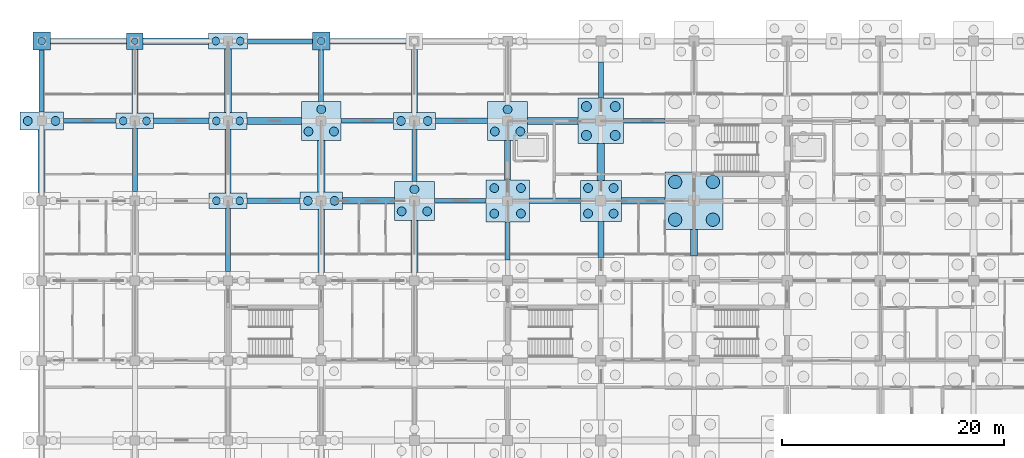
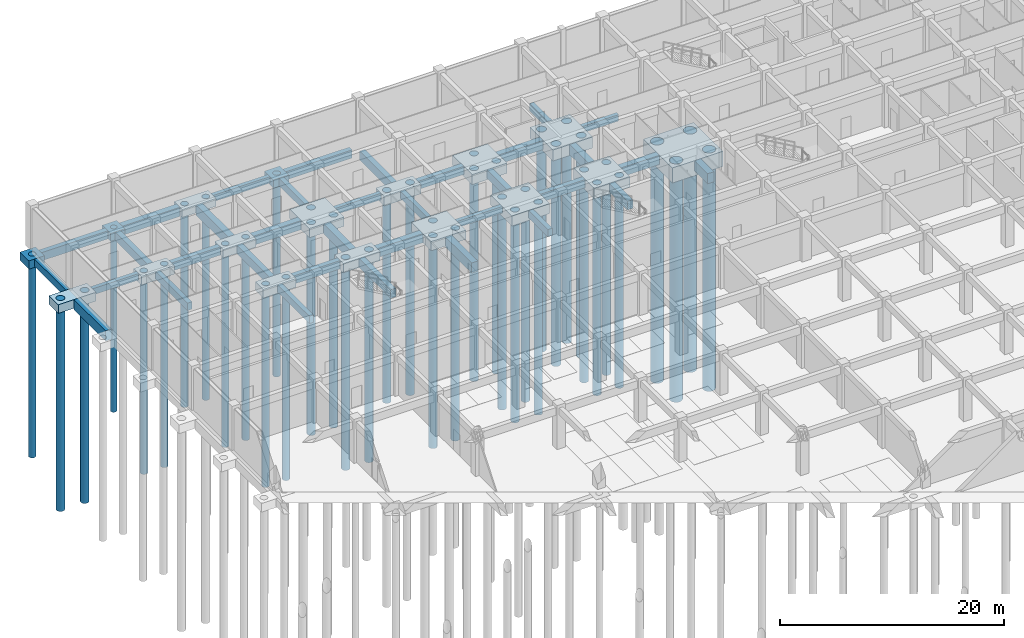
# One storey, part 8 of 85: 52 footings, 42 piles.
"""IFC4 building model written with IfcOpenShell, lengths in metres."""

from ifc_helpers import new_model, si_unit, direction, frame, origin, origin_2d, place, context, subcontext, project, spatial, rectangle, circle, extrude, material, material_profile, profile_set, type_object, element, save


model = new_model("IFC4")

# Units and contexts
model_context = context("Model", 3, precision=1e-05, world=origin(), true_north=direction((0.0, 1.0)))
body_context = subcontext(model_context, "Body", "Model", "MODEL_VIEW")
ifc_project = project(units=[si_unit("LENGTHUNIT", "METRE"), si_unit("AREAUNIT", "SQUARE_METRE"), si_unit("VOLUMEUNIT", "CUBIC_METRE"), si_unit("PLANEANGLEUNIT", "RADIAN"), si_unit("MASSUNIT", "GRAM", prefix="KILO")], contexts=[model_context])

# Site, building, storey
site_placement = place(None, origin())
site = spatial("IfcSite", under=ifc_project, at=site_placement, CompositionType="ELEMENT")
building_placement = place(site_placement, origin())
building = spatial("IfcBuilding", under=site, at=building_placement, Name="Chengyuan Square Courthouse", CompositionType="ELEMENT")
storey_placement = place(building_placement, frame((0.0, 0.0, -10.199951171875)))
storey = spatial("IfcBuildingStorey", under=building, at=storey_placement, Name="B02", CompositionType="ELEMENT", Elevation=-10.199951171875)

# Footings
ifc_material = material(Name="Concrete C40", Category="concrete")
ifc_material_profile_1 = material_profile(ifc_material, rectangle(XDim=0.39990234375, YDim=0.699951171875, at=origin_2d()), Name="GB-400x700")
ifc_profile_set_1 = profile_set([ifc_material_profile_1], Name="Concrete C40")
footing_type_1 = type_object("IfcFootingType", Name="GB-01", PredefinedType="FOOTING_BEAM", material=ifc_profile_set_1)
footing_1_placement = place(storey_placement, frame((35.39990234375, 100.800048828125, -1.150146484375), z_axis=(1.0, 0.0, 0.0), x_axis=(0.0, 1.0, 0.0)))
element("IfcFooting", 1, at=footing_1_placement, inside=storey, type_object=footing_type_1, Name="Ground Tie Beam GB-B02-0285", PredefinedType="FOOTING_BEAM", context=body_context, shape_type="SweptSolid", body=[
    extrude(rectangle(XDim=0.39990234375, YDim=0.699951171875, at=origin_2d()), origin(), (0.0, 0.0, 1.0), 4.650146484375),
])
footing_2_placement = place(storey_placement, frame((1.949951171875, 108.0, -1.150146484375), z_axis=(1.0, 0.0, 0.0), x_axis=(0.0, 1.0, 0.0)))
element("IfcFooting", 2, at=footing_2_placement, inside=storey, type_object=footing_type_1, Name="Ground Tie Beam GB-B02-0301", PredefinedType="FOOTING_BEAM", context=body_context, shape_type="SweptSolid", body=[
    extrude(rectangle(XDim=0.39990234375, YDim=0.699951171875, at=origin_2d()), origin(), (0.0, 0.0, 1.0), 4.75),
])
footing_3_placement = place(storey_placement, frame((27.0, 108.0, -1.150146484375), z_axis=(1.0, 0.0, 0.0), x_axis=(0.0, 1.0, 0.0)))
element("IfcFooting", 3, at=footing_3_placement, inside=storey, type_object=footing_type_1, Name="Ground Tie Beam GB-B02-0304", PredefinedType="FOOTING_BEAM", context=body_context, shape_type="SweptSolid", body=[
    extrude(rectangle(XDim=0.39990234375, YDim=0.699951171875, at=origin_2d()), origin(), (0.0, 0.0, 1.0), 4.699951171875),
])
footing_4_placement = place(storey_placement, frame((52.449951171875, 108.0, -1.150146484375), z_axis=(1.0, 0.0, 0.0), x_axis=(0.0, 1.0, 0.0)))
element("IfcFooting", 4, at=footing_4_placement, inside=storey, type_object=footing_type_1, Name="Ground Tie Beam GB-B02-0307", PredefinedType="FOOTING_BEAM", context=body_context, shape_type="SweptSolid", body=[
    extrude(rectangle(XDim=0.39990234375, YDim=0.699951171875, at=origin_2d()), origin(), (0.0, 0.0, 1.0), 3.75),
])
footing_5_placement = place(storey_placement, frame((18.550048828125, 115.199951171875, -1.150146484375), z_axis=(1.0, 0.0, 0.0), x_axis=(0.0, 1.0, 0.0)))
element("IfcFooting", 5, at=footing_5_placement, inside=storey, type_object=footing_type_1, Name="Ground Tie Beam GB-B02-0323", PredefinedType="FOOTING_BEAM", context=body_context, shape_type="SweptSolid", body=[
    extrude(rectangle(XDim=0.39990234375, YDim=0.699951171875, at=origin_2d()), origin(), (0.0, 0.0, 1.0), 5.849853515625),
])
ifc_material_profile_2 = material_profile(ifc_material, rectangle(XDim=0.449951171875, YDim=0.800048828125, at=origin_2d()), Name="GB-450x800")
ifc_profile_set_2 = profile_set([ifc_material_profile_2], Name="Concrete C40")
footing_type_2 = type_object("IfcFootingType", Name="GB-02", PredefinedType="FOOTING_BEAM", material=ifc_profile_set_2)
footing_6_placement = place(storey_placement, frame((0.0, 108.824951171875, -1.199951171875), z_axis=(0.0, 1.0, 0.0), x_axis=(-1.0, 0.0, 0.0)))
element("IfcFooting", 6, at=footing_6_placement, inside=storey, type_object=footing_type_2, Name="Ground Tie Beam GB-B02-0362", PredefinedType="FOOTING_BEAM", context=body_context, shape_type="SweptSolid", body=[
    extrude(rectangle(XDim=0.449951171875, YDim=0.800048828125, at=origin_2d()), origin(), (0.0, 0.0, 1.0), 5.574951171875),
])
for number, where, z_axis, x_axis, name in (
    (7, (8.39990234375, 101.625, -1.199951171875), (0.0, 1.0, 0.0), (-1.0, 0.0, 0.0), "Ground Tie Beam GB-B02-0377"),
    (8, (16.800048828125, 94.425048828125, -1.199951171875), (0.0, 1.0, 0.0), (-1.0, 0.0, 0.0), "Ground Tie Beam GB-B02-0392"),
):
    element("IfcFooting", number, at=place(storey_placement, frame(where, z_axis=z_axis, x_axis=x_axis)), inside=storey, type_object=footing_type_2, Name=name, PredefinedType="FOOTING_BEAM", context=body_context, shape_type="SweptSolid", body=[
        extrude(rectangle(XDim=0.449951171875, YDim=0.800048828125, at=origin_2d()), origin(), (0.0, 0.0, 1.0), 5.675048828125),
    ])
footing_7_placement = place(storey_placement, frame((25.199951171875, 109.75, -1.199951171875), z_axis=(0.0, 1.0, 0.0), x_axis=(-1.0, 0.0, 0.0)))
element("IfcFooting", 9, at=footing_7_placement, inside=storey, type_object=footing_type_2, Name="Ground Tie Beam GB-B02-0410", PredefinedType="FOOTING_BEAM", context=body_context, shape_type="SweptSolid", body=[
    extrude(rectangle(XDim=0.449951171875, YDim=0.800048828125, at=origin_2d()), origin(), (0.0, 0.0, 1.0), 4.64990234375),
])
footing_8_placement = place(storey_placement, frame((33.60009765625, 102.550048828125, -1.199951171875), z_axis=(0.0, 1.0, 0.0), x_axis=(-1.0, 0.0, 0.0)))
element("IfcFooting", 10, at=footing_8_placement, inside=storey, type_object=footing_type_2, Name="Ground Tie Beam GB-B02-0425", PredefinedType="FOOTING_BEAM", context=body_context, shape_type="SweptSolid", body=[
    extrude(rectangle(XDim=0.449951171875, YDim=0.800048828125, at=origin_2d()), origin(), (0.0, 0.0, 1.0), 4.699951171875),
])
footing_9_placement = place(storey_placement, frame((42.0, 95.449951171875, -1.199951171875), z_axis=(0.0, 1.0, 0.0), x_axis=(-1.0, 0.0, 0.0)))
element("IfcFooting", 11, at=footing_9_placement, inside=storey, type_object=footing_type_2, Name="Ground Tie Beam GB-B02-0440", PredefinedType="FOOTING_BEAM", context=body_context, shape_type="SweptSolid", body=[
    extrude(rectangle(XDim=0.449951171875, YDim=0.800048828125, at=origin_2d()), origin(), (0.0, 0.0, 1.0), 3.449951171875),
])
footing_10_placement = place(storey_placement, frame((50.39990234375, 110.050048828125, -1.199951171875), z_axis=(0.0, 1.0, 0.0), x_axis=(-1.0, 0.0, 0.0)))
element("IfcFooting", 12, at=footing_10_placement, inside=storey, type_object=footing_type_2, Name="Ground Tie Beam GB-B02-0458", PredefinedType="FOOTING_BEAM", context=body_context, shape_type="SweptSolid", body=[
    extrude(rectangle(XDim=0.449951171875, YDim=0.800048828125, at=origin_2d()), origin(), (0.0, 0.0, 1.0), 3.25),
])
ifc_material_profile_3 = material_profile(ifc_material, rectangle(XDim=0.5, YDim=0.89990234375, at=origin_2d()), Name="GB-500x900")
ifc_profile_set_3 = profile_set([ifc_material_profile_3], Name="Concrete C40")
footing_type_3 = type_object("IfcFootingType", Name="GB-03", PredefinedType="FOOTING_BEAM", material=ifc_profile_set_3)
footing_11_placement = place(storey_placement, frame((18.5, 100.800048828125, -1.25), z_axis=(1.0, 0.0, 0.0), x_axis=(0.0, 1.0, 0.0)))
element("IfcFooting", 13, at=footing_11_placement, inside=storey, type_object=footing_type_3, Name="Ground Tie Beam GB-B02-0283", PredefinedType="FOOTING_BEAM", context=body_context, shape_type="SweptSolid", body=[
    extrude(rectangle(XDim=0.5, YDim=0.89990234375, at=origin_2d()), origin(), (0.0, 0.0, 1.0), 4.800048828125),
])
footing_12_placement = place(storey_placement, frame((43.949951171875, 100.800048828125, -1.25), z_axis=(1.0, 0.0, 0.0), x_axis=(0.0, 1.0, 0.0)))
element("IfcFooting", 14, at=footing_12_placement, inside=storey, type_object=footing_type_3, Name="Ground Tie Beam GB-B02-0286", PredefinedType="FOOTING_BEAM", context=body_context, shape_type="SweptSolid", body=[
    extrude(rectangle(XDim=0.5, YDim=0.89990234375, at=origin_2d()), origin(), (0.0, 0.0, 1.0), 4.60009765625),
])
footing_13_placement = place(storey_placement, frame((10.10009765625, 108.0, -1.25), z_axis=(1.0, 0.0, 0.0), x_axis=(0.0, 1.0, 0.0)))
element("IfcFooting", 15, at=footing_13_placement, inside=storey, type_object=footing_type_3, Name="Ground Tie Beam GB-B02-0302", PredefinedType="FOOTING_BEAM", context=body_context, shape_type="SweptSolid", body=[
    extrude(rectangle(XDim=0.5, YDim=0.89990234375, at=origin_2d()), origin(), (0.0, 0.0, 1.0), 5.0),
])
footing_14_placement = place(storey_placement, frame((35.5, 108.0, -1.25), z_axis=(1.0, 0.0, 0.0), x_axis=(0.0, 1.0, 0.0)))
element("IfcFooting", 16, at=footing_14_placement, inside=storey, type_object=footing_type_3, Name="Ground Tie Beam GB-B02-0305", PredefinedType="FOOTING_BEAM", context=body_context, shape_type="SweptSolid", body=[
    extrude(rectangle(XDim=0.5, YDim=0.89990234375, at=origin_2d()), origin(), (0.0, 0.0, 1.0), 4.699951171875),
])
footing_15_placement = place(storey_placement, frame((0.800048828125, 115.199951171875, -1.25), z_axis=(1.0, 0.0, 0.0), x_axis=(0.0, 1.0, 0.0)))
element("IfcFooting", 17, at=footing_15_placement, inside=storey, type_object=footing_type_3, Name="Ground Tie Beam GB-B02-0321", PredefinedType="FOOTING_BEAM", context=body_context, shape_type="SweptSolid", body=[
    extrude(rectangle(XDim=0.5, YDim=0.89990234375, at=origin_2d()), origin(), (0.0, 0.0, 1.0), 6.849853515625),
])
footing_16_placement = place(storey_placement, frame((26.0, 115.199951171875, -1.25), z_axis=(1.0, 0.0, 0.0), x_axis=(0.0, 1.0, 0.0)))
element("IfcFooting", 18, at=footing_16_placement, inside=storey, type_object=footing_type_3, Name="Ground Tie Beam GB-B02-0324", PredefinedType="FOOTING_BEAM", context=body_context, shape_type="SweptSolid", body=[
    extrude(rectangle(XDim=0.5, YDim=0.89990234375, at=origin_2d()), origin(), (0.0, 0.0, 1.0), 6.85009765625),
])
ifc_material_profile_4 = material_profile(ifc_material, rectangle(XDim=0.550048828125, YDim=0.949951171875, at=origin_2d()), Name="GB-550x950")
ifc_profile_set_4 = profile_set([ifc_material_profile_4], Name="Concrete C40")
footing_type_4 = type_object("IfcFootingType", Name="GB-04", PredefinedType="FOOTING_BEAM", material=ifc_profile_set_4)
for number, where, z_axis, x_axis, name in (
    (19, (8.39990234375, 108.699951171875, -1.275146484375), (0.0, 1.0, 0.0), (-1.0, 0.0, 0.0), "Ground Tie Beam GB-B02-0378"),
    (20, (16.800048828125, 101.5, -1.275146484375), (0.0, 1.0, 0.0), (-1.0, 0.0, 0.0), "Ground Tie Beam GB-B02-0393"),
):
    element("IfcFooting", number, at=place(storey_placement, frame(where, z_axis=z_axis, x_axis=x_axis)), inside=storey, type_object=footing_type_4, Name=name, PredefinedType="FOOTING_BEAM", context=body_context, shape_type="SweptSolid", body=[
        extrude(rectangle(XDim=0.550048828125, YDim=0.949951171875, at=origin_2d()), origin(), (0.0, 0.0, 1.0), 5.75),
    ])
footing_17_placement = place(storey_placement, frame((25.199951171875, 94.35009765625, -1.275146484375), z_axis=(0.0, 1.0, 0.0), x_axis=(-1.0, 0.0, 0.0)))
element("IfcFooting", 21, at=footing_17_placement, inside=storey, type_object=footing_type_4, Name="Ground Tie Beam GB-B02-0408", PredefinedType="FOOTING_BEAM", context=body_context, shape_type="SweptSolid", body=[
    extrude(rectangle(XDim=0.550048828125, YDim=0.949951171875, at=origin_2d()), origin(), (0.0, 0.0, 1.0), 5.64990234375),
])
footing_18_placement = place(storey_placement, frame((33.60009765625, 108.75, -1.275146484375), z_axis=(0.0, 1.0, 0.0), x_axis=(-1.0, 0.0, 0.0)))
element("IfcFooting", 22, at=footing_18_placement, inside=storey, type_object=footing_type_4, Name="Ground Tie Beam GB-B02-0426", PredefinedType="FOOTING_BEAM", context=body_context, shape_type="SweptSolid", body=[
    extrude(rectangle(XDim=0.550048828125, YDim=0.949951171875, at=origin_2d()), origin(), (0.0, 0.0, 1.0), 5.699951171875),
])
footing_19_placement = place(storey_placement, frame((42.0, 102.699951171875, -1.275146484375), z_axis=(0.0, 1.0, 0.0), x_axis=(-1.0, 0.0, 0.0)))
element("IfcFooting", 23, at=footing_19_placement, inside=storey, type_object=footing_type_4, Name="Ground Tie Beam GB-B02-0441", PredefinedType="FOOTING_BEAM", context=body_context, shape_type="SweptSolid", body=[
    extrude(rectangle(XDim=0.550048828125, YDim=0.949951171875, at=origin_2d()), origin(), (0.0, 0.0, 1.0), 3.550048828125),
])
footing_20_placement = place(storey_placement, frame((50.39990234375, 95.699951171875, -1.275146484375), z_axis=(0.0, 1.0, 0.0), x_axis=(-1.0, 0.0, 0.0)))
element("IfcFooting", 24, at=footing_20_placement, inside=storey, type_object=footing_type_4, Name="Ground Tie Beam GB-B02-0456", PredefinedType="FOOTING_BEAM", context=body_context, shape_type="SweptSolid", body=[
    extrude(rectangle(XDim=0.550048828125, YDim=0.949951171875, at=origin_2d()), origin(), (0.0, 0.0, 1.0), 3.25),
])
ifc_material_profile_5 = material_profile(ifc_material, rectangle(XDim=0.60009765625, YDim=1.0, at=origin_2d()), Name="GB-600x1000")
ifc_profile_set_5 = profile_set([ifc_material_profile_5], Name="Concrete C40")
footing_type_5 = type_object("IfcFootingType", Name="GB-05", PredefinedType="FOOTING_BEAM", material=ifc_profile_set_5)
footing_21_placement = place(storey_placement, frame((27.10009765625, 100.800048828125, -1.300048828125), z_axis=(1.0, 0.0, 0.0), x_axis=(0.0, 1.0, 0.0)))
element("IfcFooting", 25, at=footing_21_placement, inside=storey, type_object=footing_type_5, Name="Ground Tie Beam GB-B02-0284", PredefinedType="FOOTING_BEAM", context=body_context, shape_type="SweptSolid", body=[
    extrude(rectangle(XDim=0.60009765625, YDim=1.0, at=origin_2d()), origin(), (0.0, 0.0, 1.0), 4.699951171875),
])
footing_22_placement = place(storey_placement, frame((52.25, 100.800048828125, -1.300048828125), z_axis=(1.0, 0.0, 0.0), x_axis=(0.0, 1.0, 0.0)))
element("IfcFooting", 26, at=footing_22_placement, inside=storey, type_object=footing_type_5, Name="Ground Tie Beam GB-B02-0287", PredefinedType="FOOTING_BEAM", context=body_context, shape_type="SweptSolid", body=[
    extrude(rectangle(XDim=0.60009765625, YDim=1.0, at=origin_2d()), origin(), (0.0, 0.0, 1.0), 3.949951171875),
])
footing_23_placement = place(storey_placement, frame((18.5, 108.0, -1.300048828125), z_axis=(1.0, 0.0, 0.0), x_axis=(0.0, 1.0, 0.0)))
element("IfcFooting", 27, at=footing_23_placement, inside=storey, type_object=footing_type_5, Name="Ground Tie Beam GB-B02-0303", PredefinedType="FOOTING_BEAM", context=body_context, shape_type="SweptSolid", body=[
    extrude(rectangle(XDim=0.60009765625, YDim=1.0, at=origin_2d()), origin(), (0.0, 0.0, 1.0), 4.89990234375),
])
footing_24_placement = place(storey_placement, frame((43.800048828125, 108.0, -1.300048828125), z_axis=(1.0, 0.0, 0.0), x_axis=(0.0, 1.0, 0.0)))
element("IfcFooting", 28, at=footing_24_placement, inside=storey, type_object=footing_type_5, Name="Ground Tie Beam GB-B02-0306", PredefinedType="FOOTING_BEAM", context=body_context, shape_type="SweptSolid", body=[
    extrude(rectangle(XDim=0.60009765625, YDim=1.0, at=origin_2d()), origin(), (0.0, 0.0, 1.0), 4.550048828125),
])
footing_25_placement = place(storey_placement, frame((9.14990234375, 115.199951171875, -1.300048828125), z_axis=(1.0, 0.0, 0.0), x_axis=(0.0, 1.0, 0.0)))
element("IfcFooting", 29, at=footing_25_placement, inside=storey, type_object=footing_type_5, Name="Ground Tie Beam GB-B02-0322", PredefinedType="FOOTING_BEAM", context=body_context, shape_type="SweptSolid", body=[
    extrude(rectangle(XDim=0.60009765625, YDim=1.0, at=origin_2d()), origin(), (0.0, 0.0, 1.0), 5.900146484375),
])
ifc_material_profile_6 = material_profile(ifc_material, rectangle(XDim=0.64990234375, YDim=1.10009765625, at=origin_2d()), Name="GB-650x1100")
ifc_profile_set_6 = profile_set([ifc_material_profile_6], Name="Concrete C40")
footing_type_6 = type_object("IfcFootingType", Name="GB-06", PredefinedType="FOOTING_BEAM", material=ifc_profile_set_6)
footing_26_placement = place(storey_placement, frame((0.0, 101.550048828125, -1.35009765625), z_axis=(0.0, 1.0, 0.0), x_axis=(-1.0, 0.0, 0.0)))
element("IfcFooting", 30, at=footing_26_placement, inside=storey, type_object=footing_type_6, Name="Ground Tie Beam GB-B02-0361", PredefinedType="FOOTING_BEAM", context=body_context, shape_type="SweptSolid", body=[
    extrude(rectangle(XDim=0.64990234375, YDim=1.10009765625, at=origin_2d()), origin(), (0.0, 0.0, 1.0), 5.625),
])
footing_27_placement = place(storey_placement, frame((16.800048828125, 108.75, -1.35009765625), z_axis=(0.0, 1.0, 0.0), x_axis=(-1.0, 0.0, 0.0)))
element("IfcFooting", 31, at=footing_27_placement, inside=storey, type_object=footing_type_6, Name="Ground Tie Beam GB-B02-0394", PredefinedType="FOOTING_BEAM", context=body_context, shape_type="SweptSolid", body=[
    extrude(rectangle(XDim=0.64990234375, YDim=1.10009765625, at=origin_2d()), origin(), (0.0, 0.0, 1.0), 5.72509765625),
])
footing_28_placement = place(storey_placement, frame((25.199951171875, 101.60009765625, -1.35009765625), z_axis=(0.0, 1.0, 0.0), x_axis=(-1.0, 0.0, 0.0)))
element("IfcFooting", 32, at=footing_28_placement, inside=storey, type_object=footing_type_6, Name="Ground Tie Beam GB-B02-0409", PredefinedType="FOOTING_BEAM", context=body_context, shape_type="SweptSolid", body=[
    extrude(rectangle(XDim=0.64990234375, YDim=1.10009765625, at=origin_2d()), origin(), (0.0, 0.0, 1.0), 4.64990234375),
])
footing_29_placement = place(storey_placement, frame((33.60009765625, 94.35009765625, -1.35009765625), z_axis=(0.0, 1.0, 0.0), x_axis=(-1.0, 0.0, 0.0)))
element("IfcFooting", 33, at=footing_29_placement, inside=storey, type_object=footing_type_6, Name="Ground Tie Beam GB-B02-0424", PredefinedType="FOOTING_BEAM", context=body_context, shape_type="SweptSolid", body=[
    extrude(rectangle(XDim=0.64990234375, YDim=1.10009765625, at=origin_2d()), origin(), (0.0, 0.0, 1.0), 4.699951171875),
])
footing_30_placement = place(storey_placement, frame((50.39990234375, 102.64990234375, -1.35009765625), z_axis=(0.0, 1.0, 0.0), x_axis=(-1.0, 0.0, 0.0)))
element("IfcFooting", 34, at=footing_30_placement, inside=storey, type_object=footing_type_6, Name="Ground Tie Beam GB-B02-0457", PredefinedType="FOOTING_BEAM", context=body_context, shape_type="SweptSolid", body=[
    extrude(rectangle(XDim=0.64990234375, YDim=1.10009765625, at=origin_2d()), origin(), (0.0, 0.0, 1.0), 3.300048828125),
])
footing_31_placement = place(storey_placement, frame((58.800048828125, 95.85009765625, -1.35009765625), z_axis=(0.0, 1.0, 0.0), x_axis=(-1.0, 0.0, 0.0)))
element("IfcFooting", 35, at=footing_31_placement, inside=storey, type_object=footing_type_6, Name="Ground Tie Beam GB-B02-0472", PredefinedType="FOOTING_BEAM", context=body_context, shape_type="SweptSolid", body=[
    extrude(rectangle(XDim=0.64990234375, YDim=1.10009765625, at=origin_2d()), origin(), (0.0, 0.0, 1.0), 2.349853515625),
])
footing_type_7 = type_object("IfcFootingType", Name="PC-01", PredefinedType="PILE_CAP", material=ifc_material)
footing_32_placement = place(storey_placement, frame((58.800048828125, 100.800048828125, -2.449951171875), z_axis=(0.0, 0.0, 1.0), x_axis=(1.0, 0.0, 0.0)))
element("IfcFooting", 36, at=footing_32_placement, inside=storey, type_object=footing_type_7, Name="Pile Cap PC-B02-134", PredefinedType="PILE_CAP", context=body_context, shape_type="SweptSolid", body=[
    extrude(rectangle(XDim=5.199951171875, YDim=5.199951171875, at=origin_2d()), origin(), (0.0, 0.0, 1.0), 1.64990234375),
])
footing_type_8 = type_object("IfcFootingType", Name="PC-07", PredefinedType="PILE_CAP", material=ifc_material)
footing_33_placement = place(storey_placement, frame((50.39990234375, 108.0, -2.0), z_axis=(0.0, 0.0, 1.0), x_axis=(1.0, 0.0, 0.0)))
element("IfcFooting", 37, at=footing_33_placement, inside=storey, type_object=footing_type_8, Name="Pile Cap PC-B02-118", PredefinedType="PILE_CAP", context=body_context, shape_type="SweptSolid", body=[
    extrude(rectangle(XDim=4.10009765625, YDim=4.10009765625, at=origin_2d()), origin(), (0.0, 0.0, 1.0), 1.199951171875),
])
footing_type_9 = type_object("IfcFootingType", Name="PC-09", PredefinedType="PILE_CAP", material=ifc_material)
footing_34_placement = place(storey_placement, frame((50.39990234375, 100.800048828125, -1.949951171875), z_axis=(0.0, 0.0, 1.0), x_axis=(1.0, 0.0, 0.0)))
element("IfcFooting", 38, at=footing_34_placement, inside=storey, type_object=footing_type_9, Name="Pile Cap PC-B02-117", PredefinedType="PILE_CAP", context=body_context, shape_type="SweptSolid", body=[
    extrude(rectangle(XDim=3.699951171875, YDim=3.699951171875, at=origin_2d()), origin(), (0.0, 0.0, 1.0), 1.14990234375),
])
footing_type_10 = type_object("IfcFootingType", Name="PC-11", PredefinedType="PILE_CAP", material=ifc_material)
footing_35_placement = place(storey_placement, frame((42.0, 100.800048828125, -1.900146484375), z_axis=(0.0, 0.0, 1.0), x_axis=(1.0, 0.0, 0.0)))
element("IfcFooting", 39, at=footing_35_placement, inside=storey, type_object=footing_type_10, Name="Pile Cap PC-B02-100", PredefinedType="PILE_CAP", context=body_context, shape_type="SweptSolid", body=[
    extrude(rectangle(XDim=3.89990234375, YDim=3.800048828125, at=origin_2d()), origin(), (0.0, 0.0, 1.0), 1.10009765625),
])
footing_type_11 = type_object("IfcFootingType", Name="PC-12", PredefinedType="PILE_CAP", material=ifc_material)
footing_36_placement = place(storey_placement, frame((42.0, 108.0, -1.900146484375), z_axis=(0.0, 0.0, 1.0), x_axis=(1.0, 0.0, 0.0)))
element("IfcFooting", 40, at=footing_36_placement, inside=storey, type_object=footing_type_11, Name="Pile Cap PC-B02-101", PredefinedType="PILE_CAP", context=body_context, shape_type="SweptSolid", body=[
    extrude(rectangle(XDim=3.60009765625, YDim=3.5, at=origin_2d()), origin(), (0.0, 0.0, 1.0), 1.10009765625),
])
footing_type_12 = type_object("IfcFootingType", Name="PC-13", PredefinedType="PILE_CAP", material=ifc_material)
for number, where, z_axis, x_axis, name in (
    (41, (25.199951171875, 108.0, -1.800048828125), (0.0, 0.0, 1.0), (1.0, 0.0, 0.0), "Pile Cap PC-B02-067"),
    (42, (33.60009765625, 100.800048828125, -1.800048828125), (0.0, 0.0, 1.0), (1.0, 0.0, 0.0), "Pile Cap PC-B02-083"),
):
    element("IfcFooting", number, at=place(storey_placement, frame(where, z_axis=z_axis, x_axis=x_axis)), inside=storey, type_object=footing_type_12, Name=name, PredefinedType="PILE_CAP", context=body_context, shape_type="SweptSolid", body=[
        extrude(rectangle(XDim=3.60009765625, YDim=3.5, at=origin_2d()), origin(), (0.0, 0.0, 1.0), 1.0),
    ])
footing_type_13 = type_object("IfcFootingType", Name="PC-14", PredefinedType="PILE_CAP", material=ifc_material)
footing_37_placement = place(storey_placement, frame((33.60009765625, 108.0, -1.85009765625), z_axis=(0.0, 0.0, 1.0), x_axis=(1.0, 0.0, 0.0)))
element("IfcFooting", 43, at=footing_37_placement, inside=storey, type_object=footing_type_13, Name="Pile Cap PC-B02-084", PredefinedType="PILE_CAP", context=body_context, shape_type="SweptSolid", body=[
    extrude(rectangle(XDim=3.800048828125, YDim=1.5, at=origin_2d()), origin(), (0.0, 0.0, 1.0), 1.050048828125),
])
footing_type_14 = type_object("IfcFootingType", Name="PC-15", PredefinedType="PILE_CAP", material=ifc_material)
footing_38_placement = place(storey_placement, frame((25.199951171875, 100.800048828125, -1.800048828125), z_axis=(0.0, 0.0, 1.0), x_axis=(1.0, 0.0, 0.0)))
element("IfcFooting", 44, at=footing_38_placement, inside=storey, type_object=footing_type_14, Name="Pile Cap PC-B02-066", PredefinedType="PILE_CAP", context=body_context, shape_type="SweptSolid", body=[
    extrude(rectangle(XDim=3.800048828125, YDim=1.60009765625, at=origin_2d()), origin(), (0.0, 0.0, 1.0), 1.0),
])
footing_type_15 = type_object("IfcFootingType", Name="PC-16", PredefinedType="PILE_CAP", material=ifc_material)
footing_39_placement = place(storey_placement, frame((0.0, 108.0, -1.75), z_axis=(0.0, 0.0, 1.0), x_axis=(1.0, 0.0, 0.0)))
element("IfcFooting", 45, at=footing_39_placement, inside=storey, type_object=footing_type_15, Name="Pile Cap PC-B02-016", PredefinedType="PILE_CAP", context=body_context, shape_type="SweptSolid", body=[
    extrude(rectangle(XDim=3.89990234375, YDim=1.64990234375, at=origin_2d()), origin(), (0.0, 0.0, 1.0), 0.949951171875),
])
footing_type_16 = type_object("IfcFootingType", Name="PC-17", PredefinedType="PILE_CAP", material=ifc_material)
for number, where, z_axis, x_axis, name in (
    (46, (8.39990234375, 108.0, -1.75), (0.0, 0.0, 1.0), (1.0, 0.0, 0.0), "Pile Cap PC-B02-033"),
    (47, (16.800048828125, 100.800048828125, -1.75), (0.0, 0.0, 1.0), (1.0, 0.0, 0.0), "Pile Cap PC-B02-049"),
):
    element("IfcFooting", number, at=place(storey_placement, frame(where, z_axis=z_axis, x_axis=x_axis)), inside=storey, type_object=footing_type_16, Name=name, PredefinedType="PILE_CAP", context=body_context, shape_type="SweptSolid", body=[
        extrude(rectangle(XDim=3.39990234375, YDim=1.39990234375, at=origin_2d()), origin(), (0.0, 0.0, 1.0), 0.949951171875),
    ])
footing_type_17 = type_object("IfcFootingType", Name="PC-18", PredefinedType="PILE_CAP", material=ifc_material)
footing_40_placement = place(storey_placement, frame((16.800048828125, 108.0, -1.699951171875), z_axis=(0.0, 0.0, 1.0), x_axis=(1.0, 0.0, 0.0)))
element("IfcFooting", 48, at=footing_40_placement, inside=storey, type_object=footing_type_17, Name="Pile Cap PC-B02-050", PredefinedType="PILE_CAP", context=body_context, shape_type="SweptSolid", body=[
    extrude(rectangle(XDim=3.39990234375, YDim=1.5, at=origin_2d()), origin(), (0.0, 0.0, 1.0), 0.89990234375),
])
footing_type_18 = type_object("IfcFootingType", Name="PC-19", PredefinedType="PILE_CAP", material=ifc_material)
footing_41_placement = place(storey_placement, frame((16.800048828125, 115.199951171875, -1.650146484375), z_axis=(0.0, 0.0, 1.0), x_axis=(1.0, 0.0, 0.0)))
element("IfcFooting", 49, at=footing_41_placement, inside=storey, type_object=footing_type_18, Name="Pile Cap PC-B02-051", PredefinedType="PILE_CAP", context=body_context, shape_type="SweptSolid", body=[
    extrude(rectangle(XDim=3.5, YDim=1.449951171875, at=origin_2d()), origin(), (0.0, 0.0, 1.0), 0.85009765625),
])
footing_type_19 = type_object("IfcFootingType", Name="PC-20", PredefinedType="PILE_CAP", material=ifc_material)
for number, where, z_axis, x_axis, name in (
    (50, (0.0, 115.199951171875, -1.699951171875), (0.0, 0.0, 1.0), (1.0, 0.0, 0.0), "Pile Cap PC-B02-017"),
    (51, (25.199951171875, 115.199951171875, -1.699951171875), (0.0, 0.0, 1.0), (1.0, 0.0, 0.0), "Pile Cap PC-B02-068"),
):
    element("IfcFooting", number, at=place(storey_placement, frame(where, z_axis=z_axis, x_axis=x_axis)), inside=storey, type_object=footing_type_19, Name=name, PredefinedType="PILE_CAP", context=body_context, shape_type="SweptSolid", body=[
        extrude(rectangle(XDim=1.60009765625, YDim=1.60009765625, at=origin_2d()), origin(), (0.0, 0.0, 1.0), 0.89990234375),
    ])
footing_type_20 = type_object("IfcFootingType", Name="PC-21", PredefinedType="PILE_CAP", material=ifc_material)
footing_42_placement = place(storey_placement, frame((8.39990234375, 115.199951171875, -1.650146484375), z_axis=(0.0, 0.0, 1.0), x_axis=(1.0, 0.0, 0.0)))
element("IfcFooting", 52, at=footing_42_placement, inside=storey, type_object=footing_type_20, Name="Pile Cap PC-B02-034", PredefinedType="PILE_CAP", context=body_context, shape_type="SweptSolid", body=[
    extrude(rectangle(XDim=1.5, YDim=1.5, at=origin_2d()), origin(), (0.0, 0.0, 1.0), 0.85009765625),
])

# Piles
ifc_material_profile_7 = material_profile(ifc_material, circle(Radius=0.300048828125, at=origin_2d()), Name="BORED PILE D600")
ifc_profile_set_7 = profile_set([ifc_material_profile_7], Name="Concrete C40")
pile_type_1 = type_object("IfcPileType", Name="PL-01", PredefinedType="BORED", material=ifc_profile_set_7)
pile_placement = place(storey_placement, frame((8.39990234375, 115.199951171875, -0.800048828125), z_axis=(0.0, 0.0, -1.0), x_axis=(1.0, 0.0, 0.0)))
element("IfcPile", 53, at=pile_placement, inside=storey, type_object=pile_type_1, Name="Bored Pile PL-B02-0055", PredefinedType="BORED", context=body_context, shape_type="SweptSolid", body=[
    extrude(circle(Radius=0.300048828125, at=origin_2d()), origin(), (0.0, 0.0, 1.0), 20.0),
])
ifc_material_profile_8 = material_profile(ifc_material, circle(Radius=0.35009765625, at=origin_2d()), Name="BORED PILE D700")
ifc_profile_set_8 = profile_set([ifc_material_profile_8], Name="Concrete C40")
pile_type_2 = type_object("IfcPileType", Name="PL-02", PredefinedType="BORED", material=ifc_profile_set_8)
for number, where, z_axis, x_axis, name in (
    (54, (0.0, 115.199951171875, -0.800048828125), (0.0, 0.0, -1.0), (1.0, 0.0, 0.0), "Bored Pile PL-B02-0030"),
    (55, (7.35009765625, 108.0, -0.800048828125), (0.0, 0.0, -1.0), (1.0, 0.0, 0.0), "Bored Pile PL-B02-0053"),
    (56, (9.449951171875, 108.0, -0.800048828125), (0.0, 0.0, -1.0), (1.0, 0.0, 0.0), "Bored Pile PL-B02-0054"),
    (57, (15.75, 100.800048828125, -0.800048828125), (0.0, 0.0, -1.0), (1.0, 0.0, 0.0), "Bored Pile PL-B02-0081"),
    (58, (17.85009765625, 100.800048828125, -0.800048828125), (0.0, 0.0, -1.0), (1.0, 0.0, 0.0), "Bored Pile PL-B02-0082"),
    (59, (15.75, 108.0, -0.800048828125), (0.0, 0.0, -1.0), (1.0, 0.0, 0.0), "Bored Pile PL-B02-0083"),
    (60, (17.85009765625, 108.0, -0.800048828125), (0.0, 0.0, -1.0), (1.0, 0.0, 0.0), "Bored Pile PL-B02-0084"),
    (61, (15.699951171875, 115.199951171875, -0.800048828125), (0.0, 0.0, -1.0), (1.0, 0.0, 0.0), "Bored Pile PL-B02-0085"),
    (62, (17.89990234375, 115.199951171875, -0.800048828125), (0.0, 0.0, -1.0), (1.0, 0.0, 0.0), "Bored Pile PL-B02-0086"),
    (63, (25.199951171875, 115.199951171875, -0.800048828125), (0.0, 0.0, -1.0), (1.0, 0.0, 0.0), "Bored Pile PL-B02-0114"),
):
    element("IfcPile", number, at=place(storey_placement, frame(where, z_axis=z_axis, x_axis=x_axis)), inside=storey, type_object=pile_type_2, Name=name, PredefinedType="BORED", context=body_context, shape_type="SweptSolid", body=[
        extrude(circle(Radius=0.35009765625, at=origin_2d()), origin(), (0.0, 0.0, 1.0), 22.0),
    ])
ifc_material_profile_9 = material_profile(ifc_material, circle(Radius=0.39990234375, at=origin_2d()), Name="BORED PILE D800")
ifc_profile_set_9 = profile_set([ifc_material_profile_9], Name="Concrete C40")
pile_type_3 = type_object("IfcPileType", Name="PL-03", PredefinedType="BORED", material=ifc_profile_set_9)
for number, where, z_axis, x_axis, name in (
    (64, (-1.25, 108.0, -0.800048828125), (0.0, 0.0, -1.0), (1.0, 0.0, 0.0), "Bored Pile PL-B02-0028"),
    (65, (1.25, 108.0, -0.800048828125), (0.0, 0.0, -1.0), (1.0, 0.0, 0.0), "Bored Pile PL-B02-0029"),
    (66, (24.0, 100.800048828125, -0.800048828125), (0.0, 0.0, -1.0), (1.0, 0.0, 0.0), "Bored Pile PL-B02-0109"),
    (67, (26.39990234375, 100.800048828125, -0.800048828125), (0.0, 0.0, -1.0), (1.0, 0.0, 0.0), "Bored Pile PL-B02-0110"),
    (68, (24.050048828125, 107.050048828125, -0.800048828125), (0.0, 0.0, -1.0), (1.0, 0.0, 0.0), "Bored Pile PL-B02-0111"),
    (69, (26.35009765625, 107.050048828125, -0.800048828125), (0.0, 0.0, -1.0), (1.0, 0.0, 0.0), "Bored Pile PL-B02-0112"),
    (70, (25.199951171875, 109.0400390625, -0.800048828125), (0.0, 0.0, -1.0), (1.0, 0.0, 0.0), "Bored Pile PL-B02-0113"),
    (71, (32.449951171875, 99.85009765625, -0.800048828125), (0.0, 0.0, -1.0), (1.0, 0.0, 0.0), "Bored Pile PL-B02-0136"),
    (72, (34.75, 99.85009765625, -0.800048828125), (0.0, 0.0, -1.0), (1.0, 0.0, 0.0), "Bored Pile PL-B02-0137"),
    (73, (33.60009765625, 101.840087890625, -0.800048828125), (0.0, 0.0, -1.0), (1.0, 0.0, 0.0), "Bored Pile PL-B02-0138"),
    (74, (32.39990234375, 108.0, -0.800048828125), (0.0, 0.0, -1.0), (1.0, 0.0, 0.0), "Bored Pile PL-B02-0139"),
    (75, (34.800048828125, 108.0, -0.800048828125), (0.0, 0.0, -1.0), (1.0, 0.0, 0.0), "Bored Pile PL-B02-0140"),
    (76, (40.800048828125, 99.64990234375, -0.800048828125), (0.0, 0.0, -1.0), (1.0, 0.0, 0.0), "Bored Pile PL-B02-0168"),
    (77, (43.199951171875, 99.64990234375, -0.800048828125), (0.0, 0.0, -1.0), (1.0, 0.0, 0.0), "Bored Pile PL-B02-0169"),
    (78, (40.800048828125, 101.949951171875, -0.800048828125), (0.0, 0.0, -1.0), (1.0, 0.0, 0.0), "Bored Pile PL-B02-0170"),
    (79, (43.199951171875, 101.949951171875, -0.800048828125), (0.0, 0.0, -1.0), (1.0, 0.0, 0.0), "Bored Pile PL-B02-0171"),
    (80, (40.85009765625, 107.050048828125, -0.800048828125), (0.0, 0.0, -1.0), (1.0, 0.0, 0.0), "Bored Pile PL-B02-0172"),
    (81, (43.14990234375, 107.050048828125, -0.800048828125), (0.0, 0.0, -1.0), (1.0, 0.0, 0.0), "Bored Pile PL-B02-0173"),
    (82, (42.0, 109.0400390625, -0.800048828125), (0.0, 0.0, -1.0), (1.0, 0.0, 0.0), "Bored Pile PL-B02-0174"),
    (83, (49.25, 99.64990234375, -0.800048828125), (0.0, 0.0, -1.0), (1.0, 0.0, 0.0), "Bored Pile PL-B02-0204"),
    (84, (51.550048828125, 99.64990234375, -0.800048828125), (0.0, 0.0, -1.0), (1.0, 0.0, 0.0), "Bored Pile PL-B02-0205"),
    (85, (49.25, 101.949951171875, -0.800048828125), (0.0, 0.0, -1.0), (1.0, 0.0, 0.0), "Bored Pile PL-B02-0206"),
    (86, (51.550048828125, 101.949951171875, -0.800048828125), (0.0, 0.0, -1.0), (1.0, 0.0, 0.0), "Bored Pile PL-B02-0207"),
):
    element("IfcPile", number, at=place(storey_placement, frame(where, z_axis=z_axis, x_axis=x_axis)), inside=storey, type_object=pile_type_3, Name=name, PredefinedType="BORED", context=body_context, shape_type="SweptSolid", body=[
        extrude(circle(Radius=0.39990234375, at=origin_2d()), origin(), (0.0, 0.0, 1.0), 23.0),
    ])
ifc_material_profile_10 = material_profile(ifc_material, circle(Radius=0.449951171875, at=origin_2d()), Name="BORED PILE D900")
ifc_profile_set_10 = profile_set([ifc_material_profile_10], Name="Concrete C40")
pile_type_4 = type_object("IfcPileType", Name="PL-04", PredefinedType="BORED", material=ifc_profile_set_10)
for number, where, z_axis, x_axis, name in (
    (87, (49.10009765625, 106.699951171875, -0.800048828125), (0.0, 0.0, -1.0), (1.0, 0.0, 0.0), "Bored Pile PL-B02-0208"),
    (88, (51.699951171875, 106.699951171875, -0.800048828125), (0.0, 0.0, -1.0), (1.0, 0.0, 0.0), "Bored Pile PL-B02-0209"),
    (89, (49.10009765625, 109.300048828125, -0.800048828125), (0.0, 0.0, -1.0), (1.0, 0.0, 0.0), "Bored Pile PL-B02-0210"),
    (90, (51.699951171875, 109.300048828125, -0.800048828125), (0.0, 0.0, -1.0), (1.0, 0.0, 0.0), "Bored Pile PL-B02-0211"),
):
    element("IfcPile", number, at=place(storey_placement, frame(where, z_axis=z_axis, x_axis=x_axis)), inside=storey, type_object=pile_type_4, Name=name, PredefinedType="BORED", context=body_context, shape_type="SweptSolid", body=[
        extrude(circle(Radius=0.449951171875, at=origin_2d()), origin(), (0.0, 0.0, 1.0), 24.0),
    ])
ifc_material_profile_11 = material_profile(ifc_material, circle(Radius=0.60009765625, at=origin_2d()), Name="BORED PILE D1200")
ifc_profile_set_11 = profile_set([ifc_material_profile_11], Name="Concrete C40")
pile_type_5 = type_object("IfcPileType", Name="PL-06", PredefinedType="BORED", material=ifc_profile_set_11)
for number, where, z_axis, x_axis, name in (
    (91, (57.10009765625, 99.10009765625, -0.800048828125), (0.0, 0.0, -1.0), (1.0, 0.0, 0.0), "Bored Pile PL-B02-0242"),
    (92, (60.5, 99.10009765625, -0.800048828125), (0.0, 0.0, -1.0), (1.0, 0.0, 0.0), "Bored Pile PL-B02-0243"),
    (93, (57.10009765625, 102.5, -0.800048828125), (0.0, 0.0, -1.0), (1.0, 0.0, 0.0), "Bored Pile PL-B02-0244"),
    (94, (60.5, 102.5, -0.800048828125), (0.0, 0.0, -1.0), (1.0, 0.0, 0.0), "Bored Pile PL-B02-0245"),
):
    element("IfcPile", number, at=place(storey_placement, frame(where, z_axis=z_axis, x_axis=x_axis)), inside=storey, type_object=pile_type_5, Name=name, PredefinedType="BORED", context=body_context, shape_type="SweptSolid", body=[
        extrude(circle(Radius=0.60009765625, at=origin_2d()), origin(), (0.0, 0.0, 1.0), 26.0),
    ])

save(model, "model.ifc")
